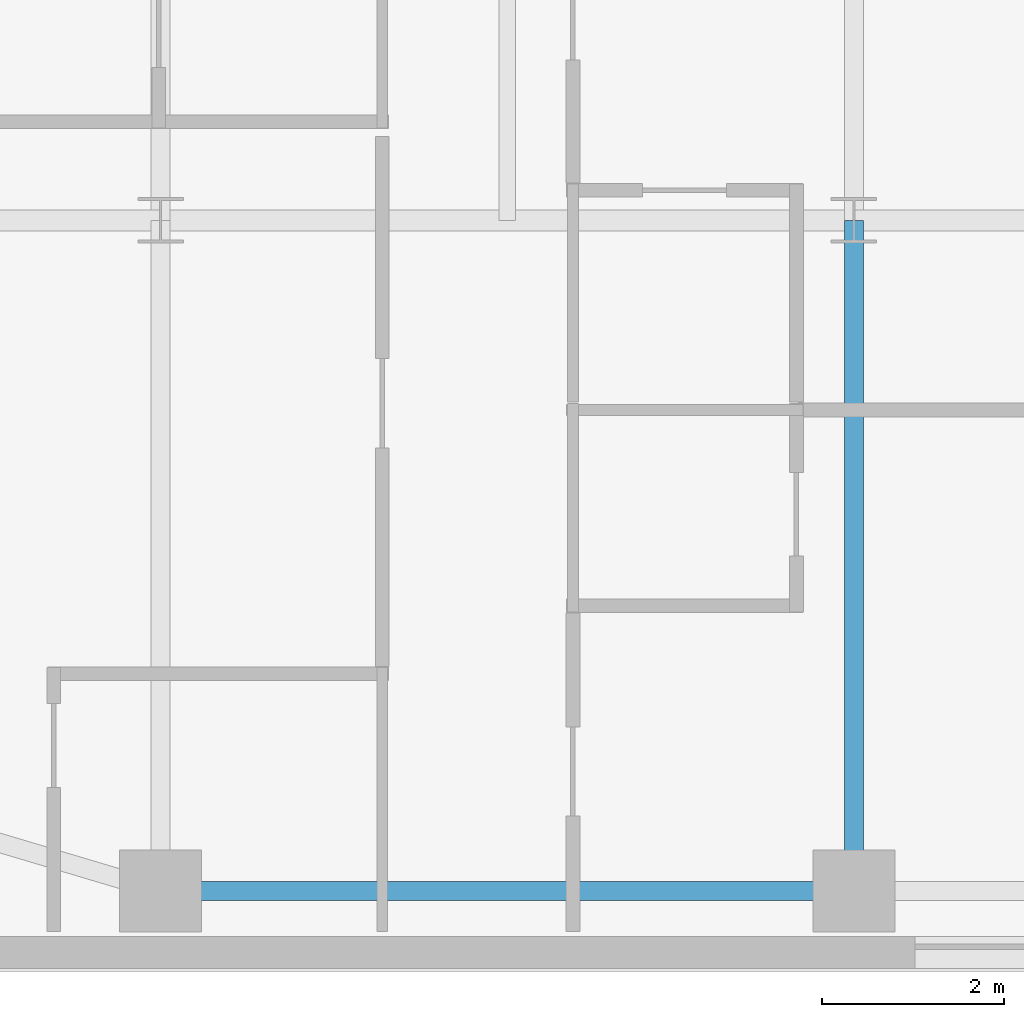
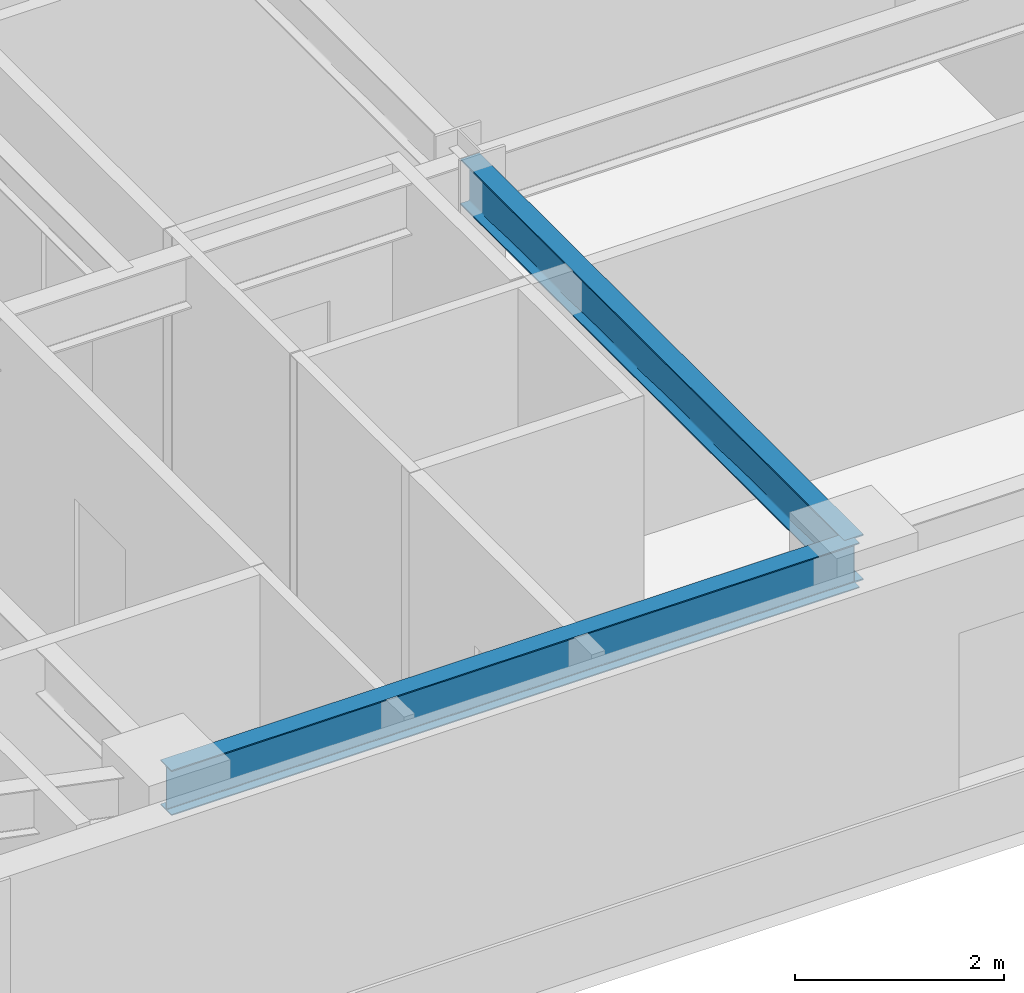
# One storey, part 3 of 37: 2 beams.
"""IFC4 building model written with IfcOpenShell, lengths in metres."""

from ifc_helpers import new_model, si_unit, direction, frame, origin, origin_2d, place, context, subcontext, project, spatial, i_section, extrude, source, transform, mapped, material, material_profile, profile_set, type_object, type_shapes, element, save


model = new_model("IFC4")

# Units and contexts
model_context = context("Model", 3, precision=1e-05, world=origin(), true_north=direction((0.0, 1.0)))
body_context = subcontext(model_context, "Body", "Model", "MODEL_VIEW")
ifc_project = project(units=[si_unit("LENGTHUNIT", "METRE"), si_unit("AREAUNIT", "SQUARE_METRE"), si_unit("VOLUMEUNIT", "CUBIC_METRE"), si_unit("PLANEANGLEUNIT", "RADIAN"), si_unit("MASSUNIT", "GRAM", prefix="KILO")], contexts=[model_context])

# Site, building, storey
site_placement = place(None, origin())
site = spatial("IfcSite", under=ifc_project, at=site_placement, CompositionType="ELEMENT")
building_placement = place(site_placement, origin())
building = spatial("IfcBuilding", under=site, at=building_placement, Name="Tolvann Quenvar Hotel", CompositionType="ELEMENT")
storey_placement = place(building_placement, frame((0.0, 0.0, 104.449951171875)))
storey = spatial("IfcBuildingStorey", under=building, at=storey_placement, Name="L26", CompositionType="ELEMENT", Elevation=104.449951171875)

# Beams
ifc_material = material(Name="Steel Grade 350", Category="steel")
ifc_material_profile_1 = material_profile(ifc_material, i_section(OverallWidth=0.208984375, OverallDepth=0.528076171875, WebThickness=0.009521484375, FlangeThickness=0.01318359375, FilletRadius=0.013916015625, at=origin_2d()), Name="530UB82")
ifc_profile_set_1 = profile_set([ifc_material_profile_1], Name="Steel Grade 350")
beam_type_1 = type_object("IfcBeamType", Name="BM_SPAND_530UB82", PredefinedType="SPANDREL", material=ifc_profile_set_1)
shared_shape_1 = source(origin(), body_context, "Body", "SweptSolid", [
    extrude(i_section(OverallWidth=0.208984375, OverallDepth=0.528076171875, WebThickness=0.009521484375, FlangeThickness=0.01318359375, FilletRadius=0.013916015625, at=origin_2d()), origin(), (0.0, 0.0, 1.0), 7.599853515625),
])
type_shapes(beam_type_1, [shared_shape_1])
beam_1_placement = place(storey_placement, frame((7.60009765625, 0.85009765625, 3.10595703125), z_axis=(1.0, 0.0, 0.0), x_axis=(0.0, 1.0, 0.0)))
element("IfcBeam", 1, at=beam_1_placement, inside=storey, type_object=beam_type_1, Name="BM-L26-EW-2-C2-D2", PredefinedType="SPANDREL", context=body_context, shape_type="MappedRepresentation", body=[
    mapped(shared_shape_1, transform((0.0, 0.0, 0.0), x_axis=(1.0, 0.0, 0.0), y_axis=(0.0, 1.0, 0.0), z_axis=(0.0, 0.0, 1.0), scale=1.0)),
])
ifc_material_profile_2 = material_profile(ifc_material, i_section(OverallWidth=0.208984375, OverallDepth=0.532958984375, WebThickness=0.01025390625, FlangeThickness=0.015625, FilletRadius=0.013916015625, at=origin_2d()), Name="530UB92")
ifc_profile_set_2 = profile_set([ifc_material_profile_2], Name="Steel Grade 350")
beam_type_2 = type_object("IfcBeamType", Name="BM_GIRD_530UB92", PredefinedType="BEAM", material=ifc_profile_set_2)
shared_shape_2 = source(origin(), body_context, "Body", "SweptSolid", [
    extrude(i_section(OverallWidth=0.208984375, OverallDepth=0.532958984375, WebThickness=0.01025390625, FlangeThickness=0.015625, FilletRadius=0.013916015625, at=origin_2d()), origin(), (0.0, 0.0, 1.0), 7.349853515625),
])
type_shapes(beam_type_2, [shared_shape_2])
beam_2_placement = place(storey_placement, frame((15.199951171875, 0.85009765625, 3.103515625), z_axis=(0.0, 1.0, 0.0), x_axis=(-1.0, 0.0, 0.0)))
element("IfcBeam", 2, at=beam_2_placement, inside=storey, type_object=beam_type_2, Name="BM-L26-NS-D2-D3", PredefinedType="BEAM", context=body_context, shape_type="MappedRepresentation", body=[
    mapped(shared_shape_2, transform((0.0, 0.0, 0.0), x_axis=(1.0, 0.0, 0.0), y_axis=(0.0, 1.0, 0.0), z_axis=(0.0, 0.0, 1.0), scale=1.0)),
])

save(model, "model.ifc")
